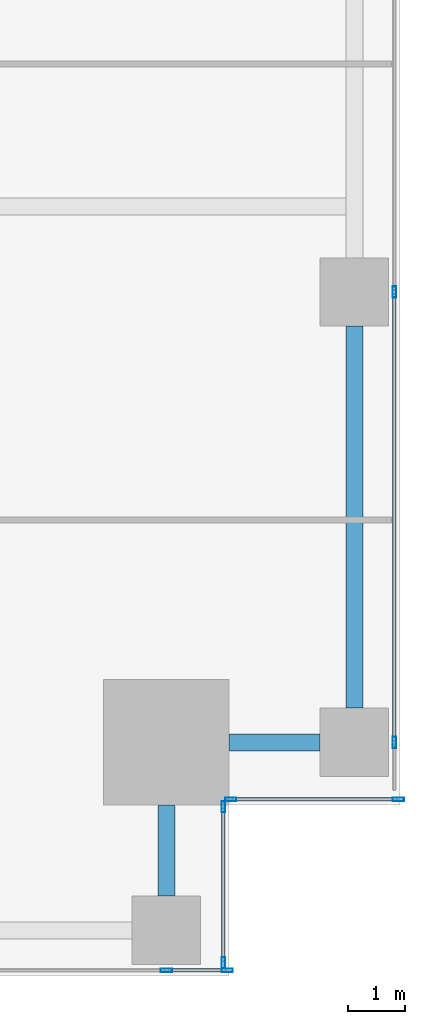
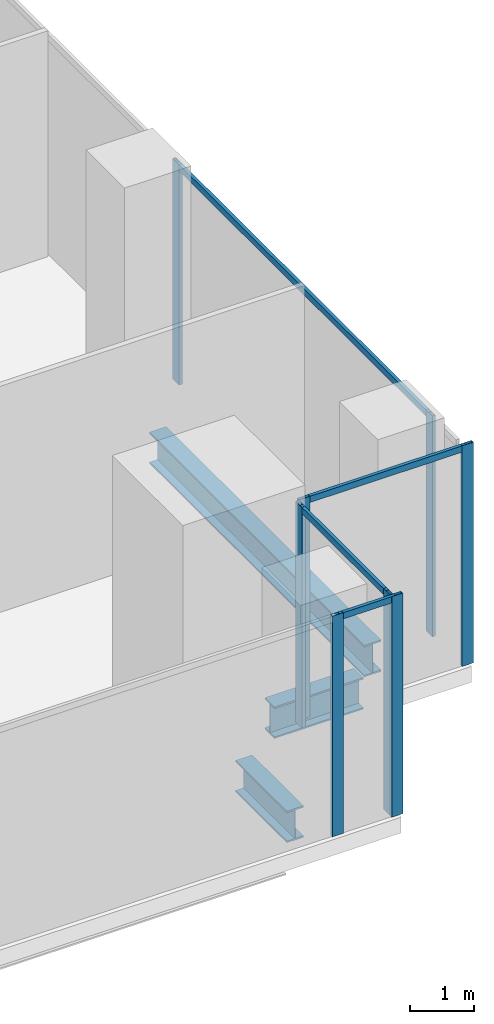
# One storey, part 9 of 33: 12 members, 3 beams, 4 elements without a shape of their own.
"""IFC4 building model written with IfcOpenShell, lengths in metres."""

from ifc_helpers import new_model, si_unit, direction, frame, origin, origin_2d, place, context, subcontext, project, spatial, hollow_rectangle, i_section, extrude, source, transform, mapped, material, material_profile, profile_set, type_object, element, aggregate, save


model = new_model("IFC4")

# Units and contexts
model_context = context("Model", 3, precision=1e-05, world=origin(), true_north=direction((0.0, 1.0)))
body_context = subcontext(model_context, "Body", "Model", "MODEL_VIEW")
ifc_project = project(units=[si_unit("LENGTHUNIT", "METRE"), si_unit("AREAUNIT", "SQUARE_METRE"), si_unit("VOLUMEUNIT", "CUBIC_METRE"), si_unit("PLANEANGLEUNIT", "RADIAN"), si_unit("MASSUNIT", "GRAM", prefix="KILO")], contexts=[model_context])

# Site, building, storey
site_placement = place(None, origin())
site = spatial("IfcSite", under=ifc_project, at=site_placement, CompositionType="ELEMENT")
building_placement = place(site_placement, origin())
building = spatial("IfcBuilding", under=site, at=building_placement, Name="Khomas Fold Tower", CompositionType="ELEMENT")
storey_placement = place(building_placement, frame((0.0, 0.0, 91.5)))
storey = spatial("IfcBuildingStorey", under=building, at=storey_placement, Name="L19", CompositionType="ELEMENT", Elevation=91.5)

# Beams
ifc_material_1 = material(Name="Steel S355", Category="steel")
ifc_material_profile_1 = material_profile(ifc_material_1, i_section(OverallWidth=0.300048828125, OverallDepth=0.60009765625, WebThickness=0.015380859375, FlangeThickness=0.030029296875, at=origin_2d()), Name="HE 600 B")
ifc_profile_set_1 = profile_set([ifc_material_profile_1], Name="Steel S355")
beam_type = type_object("IfcBeamType", Name="HE 600 B spandrel SB1", PredefinedType="SPANDREL", material=ifc_profile_set_1)
shared_shape_1 = source(origin(), body_context, "Body", "SweptSolid", [
    extrude(i_section(OverallWidth=0.300048828125, OverallDepth=0.60009765625, WebThickness=0.015380859375, FlangeThickness=0.030029296875, at=origin_2d()), origin(), (0.0, 0.0, 1.0), 6.699951171875),
])
beam_placement = place(storey_placement, frame((53.199951171875, 4.699951171875, -0.60009765625), z_axis=(0.0, 1.0, 0.0), x_axis=(-1.0, 0.0, 0.0)))
element("IfcBeam", 1, at=beam_placement, inside=storey, type_object=beam_type, Name="SB1", PredefinedType="SPANDREL", context=body_context, shape_type="MappedRepresentation", body=[
    mapped(shared_shape_1, transform((0.0, 0.0, 0.0))),
])
shared_shape_2 = source(origin(), body_context, "Body", "SweptSolid", [
    extrude(i_section(OverallWidth=0.300048828125, OverallDepth=0.60009765625, WebThickness=0.015380859375, FlangeThickness=0.030029296875, at=origin_2d()), origin(), (0.0, 0.0, 1.0), 1.60009765625),
])
for number, where, z_axis, x_axis, name in (
    (2, (49.89990234375, 1.39990234375, -0.60009765625), (0.0, 1.0, 0.0), (-1.0, 0.0, 0.0), "SB1"),
    (3, (51.0, 4.10009765625, -0.60009765625), (1.0, 0.0, 0.0), (0.0, 1.0, 0.0), "SB1"),
):
    element("IfcBeam", number, at=place(storey_placement, frame(where, z_axis=z_axis, x_axis=x_axis)), inside=storey, type_object=beam_type, Name=name, PredefinedType="SPANDREL", context=body_context, shape_type="MappedRepresentation", body=[
        mapped(shared_shape_2, transform((0.0, 0.0, 0.0))),
    ])

# Curtain wall, member
ifc_material_2 = material(Name="Aluminium framed double glazing", Category="aluminium")
curtain_wall_type = type_object("IfcCurtainWallType", Name="SK-Unitised clear-glass wall, growing floors CW1", PredefinedType="NOTDEFINED", material=ifc_material_2)
curtain_wall_1_placement = place(storey_placement, origin())
curtain_wall_1 = element("IfcCurtainWall", 4, at=curtain_wall_1_placement, inside=storey, type_object=curtain_wall_type, Name="CW1 run L19 03-0", PredefinedType="NOTDEFINED")
ifc_material_3 = material(Name="Aluminium", Category="aluminium")
ifc_material_profile_2 = material_profile(ifc_material_3, hollow_rectangle(XDim=0.06005859375, YDim=0.1201171875, WallThickness=0.00390625, at=origin_2d()), Name="SK-Unitised clear-glass wall, growing floors transom CW1-T")
ifc_profile_set_2 = profile_set([ifc_material_profile_2], Name="Aluminium")
member_type_1 = type_object("IfcMemberType", Name="SK-Unitised clear-glass wall, growing floors transom CW1-T", PredefinedType="USERDEFINED", material=ifc_profile_set_2)
shared_shape_3 = source(origin(), body_context, "Body", "SweptSolid", [
    extrude(hollow_rectangle(XDim=0.06005859375, YDim=0.1201171875, WallThickness=0.00390625, at=origin_2d()), origin(), (0.0, 0.0, 1.0), 7.840087890625),
])
member_1_placement = place(storey_placement, frame((53.89990234375, 4.1298828125, 4.139892578125), z_axis=(0.0, 1.0, 0.0), x_axis=(-1.0, 0.0, 0.0)))
member_1 = element("IfcMember", 5, at=member_1_placement, type_object=member_type_1, Name="CW1 transom 2", ObjectType="TRANSOM", PredefinedType="USERDEFINED", context=body_context, shape_type="MappedRepresentation", body=[
    mapped(shared_shape_3, transform((0.0, 0.0, 0.0))),
])

curtain_wall_2_placement = place(storey_placement, origin())
curtain_wall_2 = element("IfcCurtainWall", 6, at=curtain_wall_2_placement, inside=storey, type_object=curtain_wall_type, Name="CW1 run L19 00-0", PredefinedType="NOTDEFINED")
shared_shape_4 = source(origin(), body_context, "Body", "SweptSolid", [
    extrude(hollow_rectangle(XDim=0.06005859375, YDim=0.1201171875, WallThickness=0.00390625, at=origin_2d()), origin(), (0.0, 0.0, 1.0), 1.010009765625),
])
member_2_placement = place(storey_placement, frame((49.929931640625, 0.10009765625, 4.139892578125), z_axis=(1.0, 0.0, 0.0), x_axis=(0.0, 1.0, 0.0)))
member_2 = element("IfcMember", 7, at=member_2_placement, type_object=member_type_1, Name="CW1 transom 8", ObjectType="TRANSOM", PredefinedType="USERDEFINED", context=body_context, shape_type="MappedRepresentation", body=[
    mapped(shared_shape_4, transform((0.0, 0.0, 0.0))),
])

curtain_wall_3_placement = place(storey_placement, origin())
curtain_wall_3 = element("IfcCurtainWall", 8, at=curtain_wall_3_placement, inside=storey, type_object=curtain_wall_type, Name="CW1 corner return L19 01", PredefinedType="NOTDEFINED")
shared_shape_5 = source(origin(), body_context, "Body", "SweptSolid", [
    extrude(hollow_rectangle(XDim=0.06005859375, YDim=0.1201171875, WallThickness=0.00390625, at=origin_2d()), origin(), (0.0, 0.0, 1.0), 2.679931640625),
])
member_3_placement = place(storey_placement, frame((50.89990234375, 0.260009765625, 4.139892578125), z_axis=(0.0, 1.0, 0.0), x_axis=(-1.0, 0.0, 0.0)))
member_3 = element("IfcMember", 9, at=member_3_placement, type_object=member_type_1, Name="CW1 transom 1", ObjectType="TRANSOM", PredefinedType="USERDEFINED", context=body_context, shape_type="MappedRepresentation", body=[
    mapped(shared_shape_5, transform((0.0, 0.0, 0.0))),
])

curtain_wall_4_placement = place(storey_placement, origin())
curtain_wall_4 = element("IfcCurtainWall", 10, at=curtain_wall_4_placement, inside=storey, type_object=curtain_wall_type, Name="CW1 corner return L19 02", PredefinedType="NOTDEFINED")
shared_shape_6 = source(origin(), body_context, "Body", "SweptSolid", [
    extrude(hollow_rectangle(XDim=0.06005859375, YDim=0.1201171875, WallThickness=0.00390625, at=origin_2d()), origin(), (0.0, 0.0, 1.0), 2.8798828125),
])
member_4_placement = place(storey_placement, frame((51.06005859375, 3.10009765625, 4.139892578125), z_axis=(1.0, 0.0, 0.0), x_axis=(0.0, 1.0, 0.0)))
member_4 = element("IfcMember", 11, at=member_4_placement, type_object=member_type_1, Name="CW1 transom 1", ObjectType="TRANSOM", PredefinedType="USERDEFINED", context=body_context, shape_type="MappedRepresentation", body=[
    mapped(shared_shape_6, transform((0.0, 0.0, 0.0))),
])

# Member
ifc_material_4 = material(Name="Aluminium", Category="aluminium")
ifc_material_profile_3 = material_profile(ifc_material_4, hollow_rectangle(XDim=0.06005859375, YDim=0.199951171875, WallThickness=0.00390625, at=origin_2d()), Name="SK-Unitised clear-glass wall, growing floors mullion CW1-M")
ifc_profile_set_3 = profile_set([ifc_material_profile_3], Name="Aluminium")
member_type_2 = type_object("IfcMemberType", Name="SK-Unitised clear-glass wall, growing floors mullion CW1-M", PredefinedType="MULLION", material=ifc_profile_set_3)
shared_shape_7 = source(origin(), body_context, "Body", "SweptSolid", [
    extrude(hollow_rectangle(XDim=0.06005859375, YDim=0.199951171875, WallThickness=0.00390625, at=origin_2d()), origin(), (0.0, 0.0, 1.0), 4.199951171875),
])
member_5_placement = place(storey_placement, frame((49.89990234375, 0.10009765625, 0.0), z_axis=(0.0, 0.0, 1.0), x_axis=(0.0, 1.0, 0.0)))
member_5 = element("IfcMember", 12, at=member_5_placement, type_object=member_type_2, Name="CW1 mullion 8", PredefinedType="MULLION", context=body_context, shape_type="MappedRepresentation", body=[
    mapped(shared_shape_7, transform((0.0, 0.0, 0.0))),
])

member_6_placement = place(storey_placement, frame((50.969970703125, 0.10009765625, 0.0), z_axis=(0.0, 0.0, 1.0), x_axis=(0.0, 1.0, 0.0)))
member_6 = element("IfcMember", 13, at=member_6_placement, type_object=member_type_2, Name="CW1 mullion 9", PredefinedType="MULLION", context=body_context, shape_type="MappedRepresentation", body=[
    mapped(shared_shape_7, transform((0.0, 0.0, 0.0))),
])

aggregate(curtain_wall_2, [member_5, member_6, member_2])

member_7_placement = place(storey_placement, frame((50.89990234375, 0.22998046875, 0.0), z_axis=(0.0, 0.0, 1.0), x_axis=(-1.0, 0.0, 0.0)))
member_7 = element("IfcMember", 14, at=member_7_placement, type_object=member_type_2, Name="CW1 mullion 1", PredefinedType="MULLION", context=body_context, shape_type="MappedRepresentation", body=[
    mapped(shared_shape_7, transform((0.0, 0.0, 0.0))),
])

member_8_placement = place(storey_placement, frame((50.89990234375, 2.969970703125, 0.0), z_axis=(0.0, 0.0, 1.0), x_axis=(-1.0, 0.0, 0.0)))
member_8 = element("IfcMember", 15, at=member_8_placement, type_object=member_type_2, Name="CW1 mullion 2", PredefinedType="MULLION", context=body_context, shape_type="MappedRepresentation", body=[
    mapped(shared_shape_7, transform((0.0, 0.0, 0.0))),
])

aggregate(curtain_wall_3, [member_7, member_8, member_3])

member_9_placement = place(storey_placement, frame((51.030029296875, 3.10009765625, 0.0), z_axis=(0.0, 0.0, 1.0), x_axis=(0.0, 1.0, 0.0)))
member_9 = element("IfcMember", 16, at=member_9_placement, type_object=member_type_2, Name="CW1 mullion 1", PredefinedType="MULLION", context=body_context, shape_type="MappedRepresentation", body=[
    mapped(shared_shape_7, transform((0.0, 0.0, 0.0))),
])

member_10_placement = place(storey_placement, frame((53.969970703125, 3.10009765625, 0.0), z_axis=(0.0, 0.0, 1.0), x_axis=(0.0, 1.0, 0.0)))
member_10 = element("IfcMember", 17, at=member_10_placement, type_object=member_type_2, Name="CW1 mullion 2", PredefinedType="MULLION", context=body_context, shape_type="MappedRepresentation", body=[
    mapped(shared_shape_7, transform((0.0, 0.0, 0.0))),
])

aggregate(curtain_wall_4, [member_9, member_10, member_4])

member_11_placement = place(storey_placement, frame((53.89990234375, 4.10009765625, 0.0), z_axis=(0.0, 0.0, 1.0), x_axis=(-1.0, 0.0, 0.0)))
member_11 = element("IfcMember", 18, at=member_11_placement, type_object=member_type_2, Name="CW1 mullion 2", PredefinedType="MULLION", context=body_context, shape_type="MappedRepresentation", body=[
    mapped(shared_shape_7, transform((0.0, 0.0, 0.0))),
])

member_12_placement = place(storey_placement, frame((53.89990234375, 12.0, 0.0), z_axis=(0.0, 0.0, 1.0), x_axis=(-1.0, 0.0, 0.0)))
member_12 = element("IfcMember", 19, at=member_12_placement, type_object=member_type_2, Name="CW1 mullion 3", PredefinedType="MULLION", context=body_context, shape_type="MappedRepresentation", body=[
    mapped(shared_shape_7, transform((0.0, 0.0, 0.0))),
])

aggregate(curtain_wall_1, [member_11, member_12, member_1])

save(model, "model.ifc")
